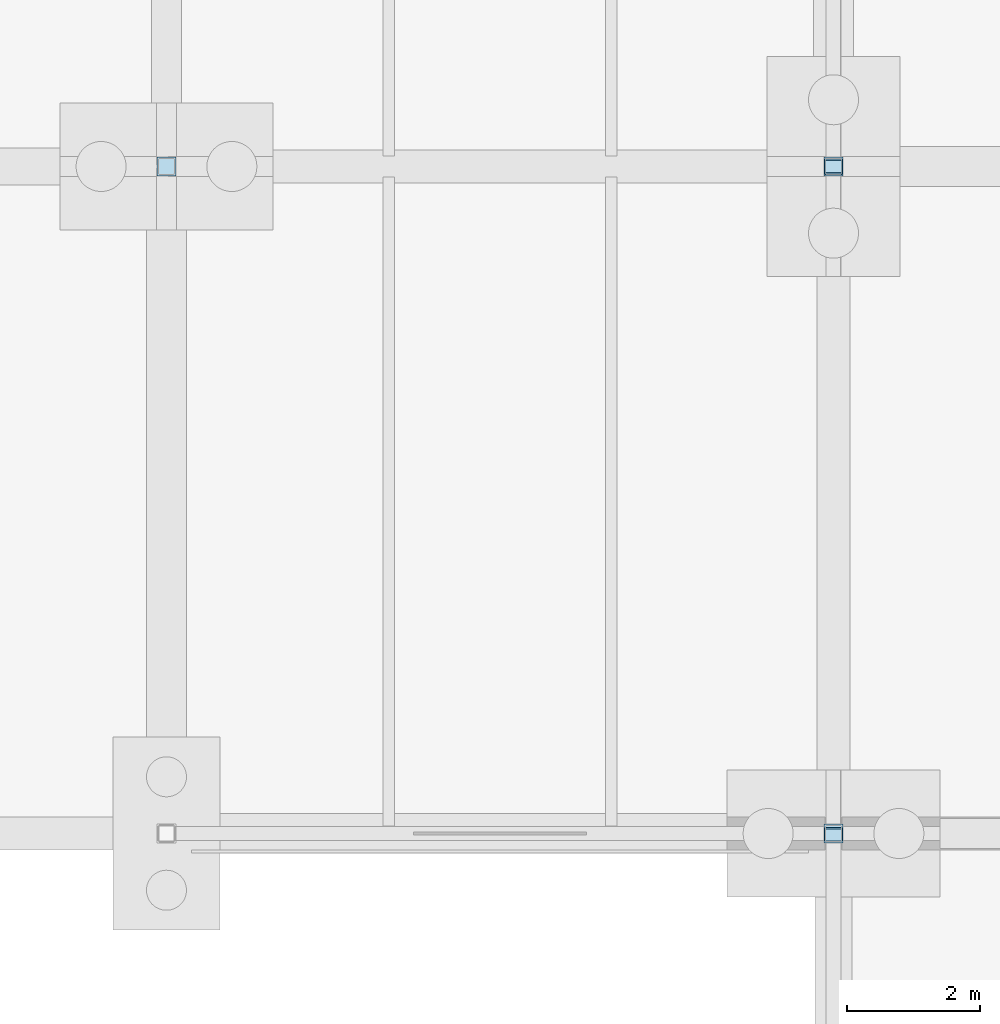
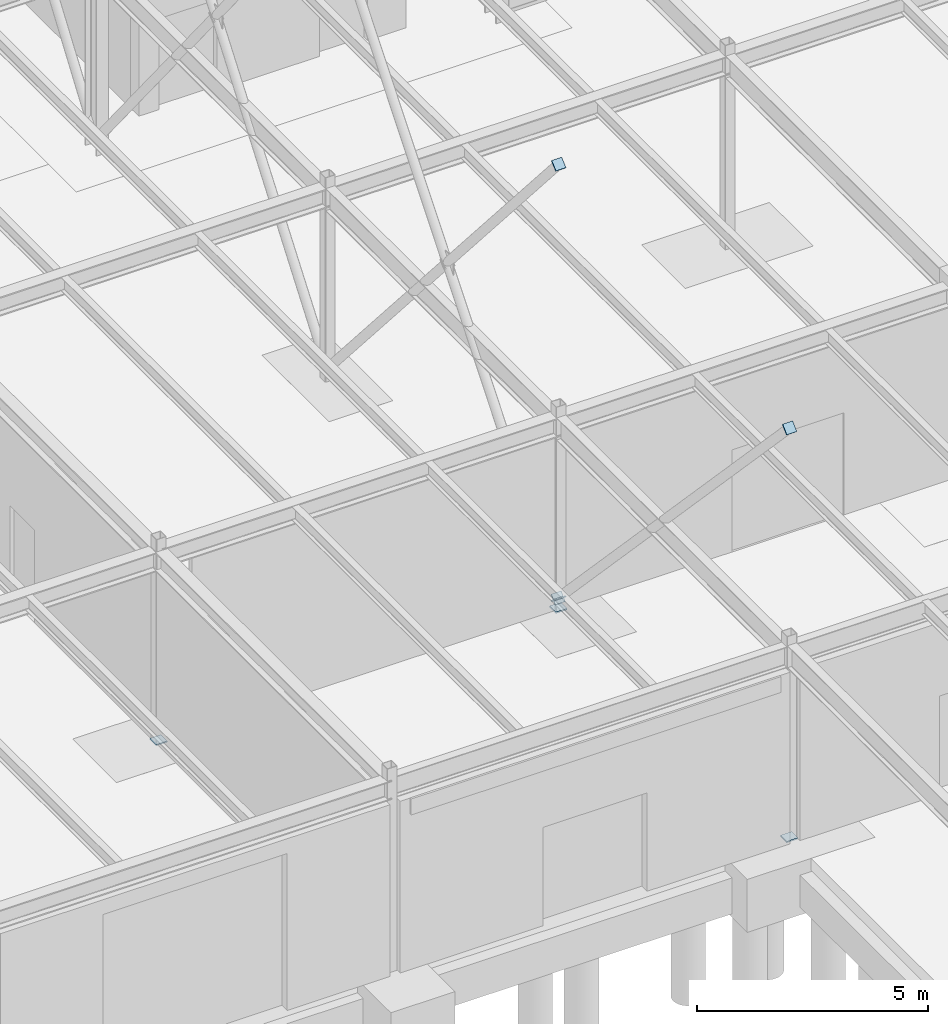
# One storey, part 107 of 145: 7 plates.
"""IFC4 building model written with IfcOpenShell, lengths in metres."""

from ifc_helpers import new_model, si_unit, direction, frame, origin, origin_2d, place, context, subcontext, project, spatial, rectangle, extrude, material, layer, layer_set, type_object, element, save


model = new_model("IFC4")

# Units and contexts
model_context = context("Model", 3, precision=1e-05, world=origin(), true_north=direction((0.0, 1.0)))
body_context = subcontext(model_context, "Body", "Model", "MODEL_VIEW")
ifc_project = project(units=[si_unit("LENGTHUNIT", "METRE"), si_unit("AREAUNIT", "SQUARE_METRE"), si_unit("VOLUMEUNIT", "CUBIC_METRE"), si_unit("PLANEANGLEUNIT", "RADIAN"), si_unit("MASSUNIT", "GRAM", prefix="KILO"), si_unit("THERMODYNAMICTEMPERATUREUNIT", "KELVIN"), si_unit("POWERUNIT", "WATT")], contexts=[model_context])

# Site, building, storey
site_placement = place(None, origin())
site = spatial("IfcSite", under=ifc_project, at=site_placement, CompositionType="ELEMENT")
building_placement = place(site_placement, origin())
building = spatial("IfcBuilding", under=site, at=building_placement, Name="Korenveer Ferry Terminal", CompositionType="ELEMENT")
storey_placement = place(building_placement, origin())
storey = spatial("IfcBuildingStorey", under=building, at=storey_placement, Name="L00", CompositionType="ELEMENT", Elevation=0.0)

# Plates
ifc_material = material(Name="Steel S355", Category="steel")
ifc_layer = layer(ifc_material, 0.031982421875)
ifc_layer_set = layer_set([ifc_layer], Name="Steel S355")
plate_type = type_object("IfcPlateType", Name="STR-PLT-CAP32", PredefinedType="USERDEFINED", material=ifc_layer_set)
for number, where, z_axis, x_axis, name in (
    (1, (103.0, 30.0, -0.0322265625), (0.0, 0.0, 1.0), (1.0, 0.0, 0.0), "Hollow section end cap 28"),
    (2, (113.0, 20.0, -0.0322265625), (0.0, 0.0, 1.0), (1.0, 0.0, 0.0), "Hollow section end cap 34"),
    (3, (113.0, 30.0, -0.0322265625), (0.0, 0.0, 1.0), (1.0, 0.0, 0.0), "Hollow section end cap 35"),
):
    element("IfcPlate", number, at=place(storey_placement, frame(where, z_axis=z_axis, x_axis=x_axis)), inside=storey, type_object=plate_type, Name=name, ObjectType="END CAP PLATE", PredefinedType="USERDEFINED", context=body_context, shape_type="SweptSolid", body=[
        extrude(rectangle(XDim=0.280029296875, YDim=0.280029296875, at=origin_2d()), origin(), (0.0, 0.0, 1.0), 0.031982421875),
    ])
for number, where, z_axis, x_axis, name in (
    (4, (113.0, 30.02197265625, 0.2265625), (0.0, -0.687992010967, 0.725718259965), (1.0, 0.0, 0.0), "Hollow section end cap 177"),
    (5, (113.0, 20.0, 10.79833984375), (0.0, -0.687992010967, 0.725718259965), (1.0, 0.0, 0.0), "Hollow section end cap 178"),
    (6, (113.0, 29.97998046875, 0.22509765625), (0.0, 0.628847979278, 0.777528275343), (-1.0, 0.0, 0.0), "Hollow section end cap 179"),
    (7, (113.0, 30.0, 11.70654296875), (0.0, -0.657599163703, 0.753367997659), (1.0, 0.0, 0.0), "Hollow section end cap 184"),
):
    element("IfcPlate", number, at=place(storey_placement, frame(where, z_axis=z_axis, x_axis=x_axis)), inside=storey, type_object=plate_type, Name=name, ObjectType="END CAP PLATE", PredefinedType="USERDEFINED", context=body_context, shape_type="SweptSolid", body=[
        extrude(rectangle(XDim=0.2490234375, YDim=0.2490234375, at=origin_2d()), origin(), (0.0, 0.0, 1.0), 0.031982421875),
    ])

save(model, "model.ifc")
